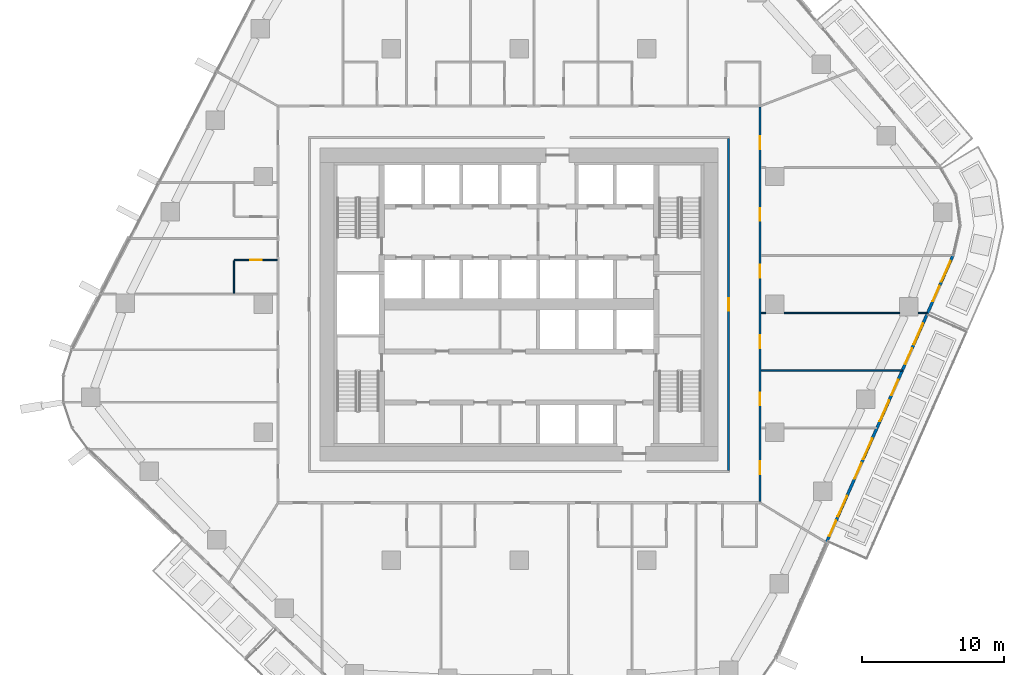
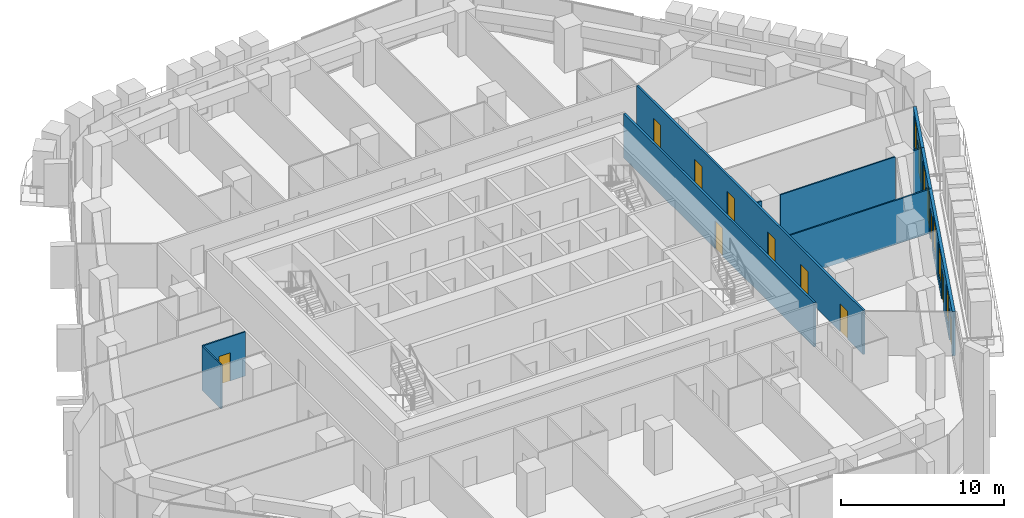
# One storey, part 14 of 24: 13 doors, 10 walls, 5 windows, 18 openings.
"""IFC4 building model written with IfcOpenShell, lengths in metres."""

from ifc_helpers import new_model, si_unit, direction, frame, frame_2d, origin, place, context, subcontext, project, spatial, rectangle, extrude, material, layer, layer_set, type_object, element, fill, save


model = new_model("IFC4")

# Units and contexts
model_context = context("Model", 3, precision=1e-05, world=origin(), true_north=direction((0.0, 1.0)))
body_context = subcontext(model_context, "Body", "Model", "MODEL_VIEW")
ifc_project = project(units=[si_unit("LENGTHUNIT", "METRE"), si_unit("AREAUNIT", "SQUARE_METRE"), si_unit("VOLUMEUNIT", "CUBIC_METRE"), si_unit("PLANEANGLEUNIT", "RADIAN"), si_unit("MASSUNIT", "GRAM", prefix="KILO")], contexts=[model_context])

# Site, building, storey
site_placement = place(None, origin())
site = spatial("IfcSite", under=ifc_project, at=site_placement, CompositionType="ELEMENT")
building_placement = place(site_placement, origin())
building = spatial("IfcBuilding", under=site, at=building_placement, Name="Dongbaek Canopy Tower", CompositionType="ELEMENT")
storey_placement = place(building_placement, frame((0.0, 0.0, 106.300048828125)))
storey = spatial("IfcBuildingStorey", under=building, at=storey_placement, Name="L22", CompositionType="ELEMENT", Elevation=106.300048828125)

# Wall, openings, doors
ifc_material_1 = material(Name="Gypsum board partition, steel stud, 2 x 15 mm fire board", Category="steel")
ifc_layer_1 = layer(ifc_material_1, 0.14990234375)
ifc_layer_set_1 = layer_set([ifc_layer_1], Name="Fire-rated partition 150 gypsum board")
wall_type_1 = type_object("IfcWallType", Name="Fire-rated partition 150 gypsum board", PredefinedType="PARTITIONING", material=ifc_layer_set_1)
wall_1_placement = place(storey_placement, frame((16.949951171875, 13.875, 0.0), z_axis=(0.0, 0.0, 1.0), x_axis=(0.0, -1.0, 0.0)))
wall_1 = element("IfcWall", 1, at=wall_1_placement, inside=storey, type_object=wall_type_1, Name="Corridor partition", PredefinedType="PARTITIONING", context=body_context, shape_type="SweptSolid", body=[
    extrude(rectangle(XDim=27.75, YDim=0.14990234375, at=frame_2d((13.875, 0.0))), origin(), (0.0, 0.0, 1.0), 3.300048828125),
])
opening_1_placement = place(wall_1_placement, frame((24.91748046875, 0.0, 0.0)))
opening_1 = element("IfcOpeningElement", 2, at=opening_1_placement, cuts=wall_1, Name="Opening L22-D015", PredefinedType="OPENING", context=body_context, shape_type="SweptSolid", body=[
    extrude(rectangle(XDim=0.89990234375, YDim=2.10009765625, at=frame_2d((0.449951171875, 1.050048828125))), frame((0.0, 0.0849609375, 0.0), z_axis=(0.0, -1.0, 0.0), x_axis=(1.0, 0.0, 0.0)), (0.0, 0.0, 1.0), 0.169921875),
])
opening_2_placement = place(wall_1_placement, frame((20.086181640625, 0.0, 0.0)))
opening_2 = element("IfcOpeningElement", 3, at=opening_2_placement, cuts=wall_1, Name="Opening L22-D016", PredefinedType="OPENING", context=body_context, shape_type="SweptSolid", body=[
    extrude(rectangle(XDim=0.89990234375, YDim=2.10009765625, at=frame_2d((0.449951171875, 1.050048828125))), frame((0.0, 0.0849609375, 0.0), z_axis=(0.0, -1.0, 0.0), x_axis=(1.0, 0.0, 0.0)), (0.0, 0.0, 1.0), 0.169921875),
])
opening_3_placement = place(wall_1_placement, frame((16.046630859375, 0.0, 0.0)))
opening_3 = element("IfcOpeningElement", 4, at=opening_3_placement, cuts=wall_1, Name="Opening L22-D017", PredefinedType="OPENING", context=body_context, shape_type="SweptSolid", body=[
    extrude(rectangle(XDim=0.89990234375, YDim=2.10009765625, at=frame_2d((0.449951171875, 1.050048828125))), frame((0.0, 0.0849609375, 0.0), z_axis=(0.0, -1.0, 0.0), x_axis=(1.0, 0.0, 0.0)), (0.0, 0.0, 1.0), 0.169921875),
])
opening_4_placement = place(wall_1_placement, frame((11.0908203125, 0.0, 0.0)))
opening_4 = element("IfcOpeningElement", 5, at=opening_4_placement, cuts=wall_1, Name="Opening L22-D018", PredefinedType="OPENING", context=body_context, shape_type="SweptSolid", body=[
    extrude(rectangle(XDim=0.89990234375, YDim=2.10009765625, at=frame_2d((0.449951171875, 1.050048828125))), frame((0.0, 0.0849609375, 0.0), z_axis=(0.0, -1.0, 0.0), x_axis=(1.0, 0.0, 0.0)), (0.0, 0.0, 1.0), 0.169921875),
])
opening_5_placement = place(wall_1_placement, frame((7.092529296875, 0.0, 0.0)))
opening_5 = element("IfcOpeningElement", 6, at=opening_5_placement, cuts=wall_1, Name="Opening L22-D019", PredefinedType="OPENING", context=body_context, shape_type="SweptSolid", body=[
    extrude(rectangle(XDim=0.89990234375, YDim=2.10009765625, at=frame_2d((0.449951171875, 1.050048828125))), frame((0.0, 0.0849609375, 0.0), z_axis=(0.0, -1.0, 0.0), x_axis=(1.0, 0.0, 0.0)), (0.0, 0.0, 1.0), 0.169921875),
])
opening_6_placement = place(wall_1_placement, frame((2.05712890625, 0.0, 0.0)))
opening_6 = element("IfcOpeningElement", 7, at=opening_6_placement, cuts=wall_1, Name="Opening L22-D020", PredefinedType="OPENING", context=body_context, shape_type="SweptSolid", body=[
    extrude(rectangle(XDim=0.89990234375, YDim=2.10009765625, at=frame_2d((0.449951171875, 1.050048828125))), frame((0.0, 0.0849609375, 0.0), z_axis=(0.0, -1.0, 0.0), x_axis=(1.0, 0.0, 0.0)), (0.0, 0.0, 1.0), 0.169921875),
])
ifc_material_2 = material(Name="Timber veneered door leaf", Category="wood")
door_type_1 = type_object("IfcDoorType", Name="Room door 900 x 2100", OperationType="SINGLE_SWING_LEFT", PredefinedType="DOOR", material=ifc_material_2)
door_1_placement = place(opening_1_placement, origin())
door_1 = element("IfcDoor", 8, at=door_1_placement, inside=storey, type_object=door_type_1, Name="Door L22-D015", OperationType="SINGLE_SWING_RIGHT", OverallHeight=2.10009765625, OverallWidth=0.89990234375, PredefinedType="DOOR", context=body_context, shape_type="SweptSolid", body=[
    extrude(rectangle(XDim=0.89990234375, YDim=2.10009765625, at=frame_2d((0.449951171875, 1.050048828125))), frame((0.0, 0.02490234375, 0.0), z_axis=(0.0, -1.0, 0.0), x_axis=(1.0, 0.0, 0.0)), (0.0, 0.0, 1.0), 0.050048828125),
])
fill(opening_1, door_1)
door_2_placement = place(opening_2_placement, origin())
door_2 = element("IfcDoor", 9, at=door_2_placement, inside=storey, type_object=door_type_1, Name="Door L22-D016", OperationType="SINGLE_SWING_LEFT", OverallHeight=2.10009765625, OverallWidth=0.89990234375, PredefinedType="DOOR", context=body_context, shape_type="SweptSolid", body=[
    extrude(rectangle(XDim=0.89990234375, YDim=2.10009765625, at=frame_2d((0.449951171875, 1.050048828125))), frame((0.0, 0.02490234375, 0.0), z_axis=(0.0, -1.0, 0.0), x_axis=(1.0, 0.0, 0.0)), (0.0, 0.0, 1.0), 0.050048828125),
])
fill(opening_2, door_2)
door_3_placement = place(opening_3_placement, origin())
door_3 = element("IfcDoor", 10, at=door_3_placement, inside=storey, type_object=door_type_1, Name="Door L22-D017", OperationType="SINGLE_SWING_RIGHT", OverallHeight=2.10009765625, OverallWidth=0.89990234375, PredefinedType="DOOR", context=body_context, shape_type="SweptSolid", body=[
    extrude(rectangle(XDim=0.89990234375, YDim=2.10009765625, at=frame_2d((0.449951171875, 1.050048828125))), frame((0.0, 0.02490234375, 0.0), z_axis=(0.0, -1.0, 0.0), x_axis=(1.0, 0.0, 0.0)), (0.0, 0.0, 1.0), 0.050048828125),
])
fill(opening_3, door_3)
door_4_placement = place(opening_4_placement, origin())
door_4 = element("IfcDoor", 11, at=door_4_placement, inside=storey, type_object=door_type_1, Name="Door L22-D018", OperationType="SINGLE_SWING_LEFT", OverallHeight=2.10009765625, OverallWidth=0.89990234375, PredefinedType="DOOR", context=body_context, shape_type="SweptSolid", body=[
    extrude(rectangle(XDim=0.89990234375, YDim=2.10009765625, at=frame_2d((0.449951171875, 1.050048828125))), frame((0.0, 0.02490234375, 0.0), z_axis=(0.0, -1.0, 0.0), x_axis=(1.0, 0.0, 0.0)), (0.0, 0.0, 1.0), 0.050048828125),
])
fill(opening_4, door_4)
door_5_placement = place(opening_5_placement, origin())
door_5 = element("IfcDoor", 12, at=door_5_placement, inside=storey, type_object=door_type_1, Name="Door L22-D019", OperationType="SINGLE_SWING_RIGHT", OverallHeight=2.10009765625, OverallWidth=0.89990234375, PredefinedType="DOOR", context=body_context, shape_type="SweptSolid", body=[
    extrude(rectangle(XDim=0.89990234375, YDim=2.10009765625, at=frame_2d((0.449951171875, 1.050048828125))), frame((0.0, 0.02490234375, 0.0), z_axis=(0.0, -1.0, 0.0), x_axis=(1.0, 0.0, 0.0)), (0.0, 0.0, 1.0), 0.050048828125),
])
fill(opening_5, door_5)
door_6_placement = place(opening_6_placement, origin())
door_6 = element("IfcDoor", 13, at=door_6_placement, inside=storey, type_object=door_type_1, Name="Door L22-D020", OperationType="SINGLE_SWING_LEFT", OverallHeight=2.10009765625, OverallWidth=0.89990234375, PredefinedType="DOOR", context=body_context, shape_type="SweptSolid", body=[
    extrude(rectangle(XDim=0.89990234375, YDim=2.10009765625, at=frame_2d((0.449951171875, 1.050048828125))), frame((0.0, 0.02490234375, 0.0), z_axis=(0.0, -1.0, 0.0), x_axis=(1.0, 0.0, 0.0)), (0.0, 0.0, 1.0), 0.050048828125),
])
fill(opening_6, door_6)

# Wall, opening, door
wall_2_placement = place(storey_placement, frame((14.75, -11.675048828125, 0.0), z_axis=(0.0, 0.0, 1.0), x_axis=(0.0, 1.0, 0.0)))
wall_2 = element("IfcWall", 14, at=wall_2_placement, inside=storey, type_object=wall_type_1, Name="Corridor partition", PredefinedType="PARTITIONING", context=body_context, shape_type="SweptSolid", body=[
    extrude(rectangle(XDim=23.35009765625, YDim=0.14990234375, at=frame_2d((11.675048828125, 0.0))), origin(), (0.0, 0.0, 1.0), 3.300048828125),
])
opening_7_placement = place(wall_2_placement, frame((11.22509765625, 0.0, 0.0)))
opening_7 = element("IfcOpeningElement", 15, at=opening_7_placement, cuts=wall_2, Name="Opening L22-D040", PredefinedType="OPENING", context=body_context, shape_type="SweptSolid", body=[
    extrude(rectangle(XDim=0.89990234375, YDim=2.10009765625, at=frame_2d((0.449951171875, 1.050048828125))), frame((0.0, 0.0849609375, 0.0), z_axis=(0.0, -1.0, 0.0), x_axis=(1.0, 0.0, 0.0)), (0.0, 0.0, 1.0), 0.169921875),
])
door_7_placement = place(opening_7_placement, origin())
door_7 = element("IfcDoor", 16, at=door_7_placement, inside=storey, type_object=door_type_1, Name="Door L22-D040", OperationType="SINGLE_SWING_LEFT", OverallHeight=2.10009765625, OverallWidth=0.89990234375, PredefinedType="DOOR", context=body_context, shape_type="SweptSolid", body=[
    extrude(rectangle(XDim=0.89990234375, YDim=2.10009765625, at=frame_2d((0.449951171875, 1.050048828125))), frame((0.0, 0.02490234375, 0.0), z_axis=(0.0, -1.0, 0.0), x_axis=(1.0, 0.0, 0.0)), (0.0, 0.0, 1.0), 0.050048828125),
])
fill(opening_7, door_7)

# Walls
ifc_material_3 = material(Name="Gypsum board partition, steel stud, 2 x 12.5 mm board", Category="steel")
ifc_layer_2 = layer(ifc_material_3, 0.10009765625)
ifc_layer_set_2 = layer_set([ifc_layer_2], Name="Partition 100 gypsum board")
wall_type_2 = type_object("IfcWallType", Name="Partition 100 gypsum board", PredefinedType="PARTITIONING", material=ifc_layer_set_2)
wall_3_placement = place(storey_placement, frame((17.02490234375, -4.64111328125, 0.0), z_axis=(0.0, 0.0, 1.0), x_axis=(1.0, 0.0, 0.0)))
element("IfcWall", 17, at=wall_3_placement, inside=storey, type_object=wall_type_2, Name="Partition", PredefinedType="PARTITIONING", context=body_context, shape_type="SweptSolid", body=[
    extrude(rectangle(XDim=9.92041015625, YDim=0.10009765625, at=frame_2d((4.960205078125, 0.0))), origin(), (0.0, 0.0, 1.0), 3.300048828125),
])
wall_4_placement = place(storey_placement, frame((17.02490234375, -0.60205078125, 0.0), z_axis=(0.0, 0.0, 1.0), x_axis=(1.0, 0.0, 0.0)))
element("IfcWall", 18, at=wall_4_placement, inside=storey, type_object=wall_type_2, Name="Partition", PredefinedType="PARTITIONING", context=body_context, shape_type="SweptSolid", body=[
    extrude(rectangle(XDim=0.3251953125, YDim=0.10009765625, at=frame_2d((0.16259765625, 0.0))), origin(), (0.0, 0.0, 1.0), 3.300048828125),
])
wall_5_placement = place(storey_placement, frame((18.64990234375, -0.60205078125, 0.0), z_axis=(0.0, 0.0, 1.0), x_axis=(1.0, 0.0, 0.0)))
element("IfcWall", 19, at=wall_5_placement, inside=storey, type_object=wall_type_2, Name="Partition", PredefinedType="PARTITIONING", context=body_context, shape_type="SweptSolid", body=[
    extrude(rectangle(XDim=8.135986328125, YDim=0.10009765625, at=frame_2d((4.06787109375, 0.0))), origin(), (0.0, 0.0, 1.0), 3.300048828125),
])
wall_6_placement = place(storey_placement, frame((28.0859375, -0.60205078125, 0.0), z_axis=(0.0, 0.0, 1.0), x_axis=(1.0, 0.0, 0.0)))
element("IfcWall", 20, at=wall_6_placement, inside=storey, type_object=wall_type_2, Name="Partition", PredefinedType="PARTITIONING", context=body_context, shape_type="SweptSolid", body=[
    extrude(rectangle(XDim=0.6396484375, YDim=0.10009765625, at=frame_2d((0.31982421875, 0.0))), origin(), (0.0, 0.0, 1.0), 3.300048828125),
])

# Wall, opening, door
wall_7_placement = place(storey_placement, frame((-17.02490234375, 3.1240234375, 0.0), z_axis=(0.0, 0.0, 1.0), x_axis=(-1.0, 0.0, 0.0)))
wall_7 = element("IfcWall", 21, at=wall_7_placement, inside=storey, type_object=wall_type_2, Name="Partition", PredefinedType="PARTITIONING", context=body_context, shape_type="SweptSolid", body=[
    extrude(rectangle(XDim=3.025146484375, YDim=0.10009765625, at=frame_2d((1.5126953125, 0.0))), origin(), (0.0, 0.0, 1.0), 3.300048828125),
])
opening_8_placement = place(wall_7_placement, frame((1.074951171875, 0.0, 0.0)))
opening_8 = element("IfcOpeningElement", 22, at=opening_8_placement, cuts=wall_7, Name="Opening L22-D037", PredefinedType="OPENING", context=body_context, shape_type="SweptSolid", body=[
    extrude(rectangle(XDim=0.800048828125, YDim=2.10009765625, at=frame_2d((0.39990234375, 1.050048828125))), frame((0.0, 0.06005859375, 0.0), z_axis=(0.0, -1.0, 0.0), x_axis=(1.0, 0.0, 0.0)), (0.0, 0.0, 1.0), 0.1201171875),
])
ifc_material_4 = material(Name="Timber veneered door leaf", Category="wood")
door_type_2 = type_object("IfcDoorType", Name="En-suite door 800 x 2100", OperationType="SINGLE_SWING_LEFT", PredefinedType="DOOR", material=ifc_material_4)
door_8_placement = place(opening_8_placement, origin())
door_8 = element("IfcDoor", 23, at=door_8_placement, inside=storey, type_object=door_type_2, Name="Door L22-D037", OperationType="SINGLE_SWING_RIGHT", OverallHeight=2.10009765625, OverallWidth=0.800048828125, PredefinedType="DOOR", context=body_context, shape_type="SweptSolid", body=[
    extrude(rectangle(XDim=0.800048828125, YDim=2.10009765625, at=frame_2d((0.39990234375, 1.050048828125))), frame((0.0, 0.02490234375, 0.0), z_axis=(0.0, -1.0, 0.0), x_axis=(1.0, 0.0, 0.0)), (0.0, 0.0, 1.0), 0.050048828125),
])
fill(opening_8, door_8)

# Wall
wall_8_placement = place(storey_placement, frame((-20.050048828125, 0.77392578125, 0.0), z_axis=(0.0, 0.0, 1.0), x_axis=(0.0, 1.0, 0.0)))
element("IfcWall", 24, at=wall_8_placement, inside=storey, type_object=wall_type_2, Name="Partition", PredefinedType="PARTITIONING", context=body_context, shape_type="SweptSolid", body=[
    extrude(rectangle(XDim=2.300048828125, YDim=0.10009765625, at=frame_2d((1.14990234375, 0.0))), origin(), (0.0, 0.0, 1.0), 3.300048828125),
])

# Wall, openings, doors, windows
ifc_material_5 = material(Name="Aluminium window wall", Category="aluminium")
ifc_layer_3 = layer(ifc_material_5, 0.199951171875)
ifc_layer_set_3 = layer_set([ifc_layer_3], Name="Window wall 200")
wall_type_3 = type_object("IfcWallType", Name="Window wall 200", PredefinedType="SOLIDWALL", material=ifc_layer_set_3)
wall_9_placement = place(storey_placement, frame((21.62646484375, -16.759765625, 0.0), z_axis=(0.0, 0.0, 1.0), x_axis=(0.403293642116, 0.915070619258, 0.0)))
wall_9 = element("IfcWall", 25, at=wall_9_placement, inside=storey, type_object=wall_type_3, Name="Window wall L22 5", PredefinedType="SOLIDWALL", context=body_context, shape_type="SweptSolid", body=[
    extrude(rectangle(XDim=17.6572265625, YDim=0.199951171875, at=frame_2d((8.82861328125, 0.0))), origin(), (0.0, 0.0, 1.0), 3.300048828125),
])
opening_9_placement = place(wall_9_placement, frame((2.0, 0.0, 0.60009765625)))
opening_9 = element("IfcOpeningElement", 26, at=opening_9_placement, cuts=wall_9, Name="Opening W1", PredefinedType="OPENING", context=body_context, shape_type="SweptSolid", body=[
    extrude(rectangle(XDim=1.60009765625, YDim=2.39990234375, at=frame_2d((0.800048828125, 1.199951171875))), frame((0.0, 0.10986328125, 0.0), z_axis=(0.0, -1.0, 0.0), x_axis=(1.0, 0.0, 0.0)), (0.0, 0.0, 1.0), 0.219970703125),
])
opening_10_placement = place(wall_9_placement, frame((0.5, 0.0, 0.0)))
opening_10 = element("IfcOpeningElement", 27, at=opening_10_placement, cuts=wall_9, Name="Opening L22-B13", PredefinedType="OPENING", context=body_context, shape_type="SweptSolid", body=[
    extrude(rectangle(XDim=1.199951171875, YDim=2.39990234375, at=frame_2d((0.60009765625, 1.199951171875))), frame((0.0, 0.10986328125, 0.0), z_axis=(0.0, -1.0, 0.0), x_axis=(1.0, 0.0, 0.0)), (0.0, 0.0, 1.0), 0.219970703125),
])
opening_11_placement = place(wall_9_placement, frame((6.414306640625, 0.0, 0.60009765625)))
opening_11 = element("IfcOpeningElement", 28, at=opening_11_placement, cuts=wall_9, Name="Opening W1", PredefinedType="OPENING", context=body_context, shape_type="SweptSolid", body=[
    extrude(rectangle(XDim=1.60009765625, YDim=2.39990234375, at=frame_2d((0.800048828125, 1.199951171875))), frame((0.0, 0.10986328125, 0.0), z_axis=(0.0, -1.0, 0.0), x_axis=(1.0, 0.0, 0.0)), (0.0, 0.0, 1.0), 0.219970703125),
])
opening_12_placement = place(wall_9_placement, frame((4.914306640625, 0.0, 0.0)))
opening_12 = element("IfcOpeningElement", 29, at=opening_12_placement, cuts=wall_9, Name="Opening L22-B14", PredefinedType="OPENING", context=body_context, shape_type="SweptSolid", body=[
    extrude(rectangle(XDim=1.199951171875, YDim=2.39990234375, at=frame_2d((0.60009765625, 1.199951171875))), frame((0.0, 0.10986328125, 0.0), z_axis=(0.0, -1.0, 0.0), x_axis=(1.0, 0.0, 0.0)), (0.0, 0.0, 1.0), 0.219970703125),
])
opening_13_placement = place(wall_9_placement, frame((9.32861328125, 0.0, 0.60009765625)))
opening_13 = element("IfcOpeningElement", 30, at=opening_13_placement, cuts=wall_9, Name="Opening W1", PredefinedType="OPENING", context=body_context, shape_type="SweptSolid", body=[
    extrude(rectangle(XDim=1.60009765625, YDim=2.39990234375, at=frame_2d((0.800048828125, 1.199951171875))), frame((0.0, 0.10986328125, 0.0), z_axis=(0.0, -1.0, 0.0), x_axis=(1.0, 0.0, 0.0)), (0.0, 0.0, 1.0), 0.219970703125),
])
opening_14_placement = place(wall_9_placement, frame((11.32861328125, 0.0, 0.0)))
opening_14 = element("IfcOpeningElement", 31, at=opening_14_placement, cuts=wall_9, Name="Opening L22-B15", PredefinedType="OPENING", context=body_context, shape_type="SweptSolid", body=[
    extrude(rectangle(XDim=1.199951171875, YDim=2.39990234375, at=frame_2d((0.60009765625, 1.199951171875))), frame((0.0, 0.10986328125, 0.0), z_axis=(0.0, -1.0, 0.0), x_axis=(1.0, 0.0, 0.0)), (0.0, 0.0, 1.0), 0.219970703125),
])
opening_15_placement = place(wall_9_placement, frame((15.242919921875, 0.0, 0.60009765625)))
opening_15 = element("IfcOpeningElement", 32, at=opening_15_placement, cuts=wall_9, Name="Opening W1", PredefinedType="OPENING", context=body_context, shape_type="SweptSolid", body=[
    extrude(rectangle(XDim=1.60009765625, YDim=2.39990234375, at=frame_2d((0.800048828125, 1.199951171875))), frame((0.0, 0.10986328125, 0.0), z_axis=(0.0, -1.0, 0.0), x_axis=(1.0, 0.0, 0.0)), (0.0, 0.0, 1.0), 0.219970703125),
])
opening_16_placement = place(wall_9_placement, frame((13.742919921875, 0.0, 0.0)))
opening_16 = element("IfcOpeningElement", 33, at=opening_16_placement, cuts=wall_9, Name="Opening L22-B16", PredefinedType="OPENING", context=body_context, shape_type="SweptSolid", body=[
    extrude(rectangle(XDim=1.199951171875, YDim=2.39990234375, at=frame_2d((0.60009765625, 1.199951171875))), frame((0.0, 0.10986328125, 0.0), z_axis=(0.0, -1.0, 0.0), x_axis=(1.0, 0.0, 0.0)), (0.0, 0.0, 1.0), 0.219970703125),
])
ifc_material_6 = material(Name="Clear glazing in aluminium frame", Category="aluminium")
door_type_3 = type_object("IfcDoorType", Name="Balcony door BD1 1200 x 2400", OperationType="SLIDING_TO_LEFT", PredefinedType="DOOR", material=ifc_material_6)
door_9_placement = place(opening_10_placement, origin())
door_9 = element("IfcDoor", 34, at=door_9_placement, inside=storey, type_object=door_type_3, Name="Balcony door L22-B13", OperationType="SLIDING_TO_LEFT", OverallHeight=2.39990234375, OverallWidth=1.199951171875, PredefinedType="DOOR", context=body_context, shape_type="SweptSolid", body=[
    extrude(rectangle(XDim=1.199951171875, YDim=2.39990234375, at=frame_2d((0.60009765625, 1.199951171875))), frame((0.0, 0.02490234375, 0.0), z_axis=(0.0, -1.0, 0.0), x_axis=(1.0, 0.0, 0.0)), (0.0, 0.0, 1.0), 0.050048828125),
])
fill(opening_10, door_9)
door_10_placement = place(opening_12_placement, origin())
door_10 = element("IfcDoor", 35, at=door_10_placement, inside=storey, type_object=door_type_3, Name="Balcony door L22-B14", OperationType="SLIDING_TO_LEFT", OverallHeight=2.39990234375, OverallWidth=1.199951171875, PredefinedType="DOOR", context=body_context, shape_type="SweptSolid", body=[
    extrude(rectangle(XDim=1.199951171875, YDim=2.39990234375, at=frame_2d((0.60009765625, 1.199951171875))), frame((0.0, 0.02490234375, 0.0), z_axis=(0.0, -1.0, 0.0), x_axis=(1.0, 0.0, 0.0)), (0.0, 0.0, 1.0), 0.050048828125),
])
fill(opening_12, door_10)
door_11_placement = place(opening_14_placement, origin())
door_11 = element("IfcDoor", 36, at=door_11_placement, inside=storey, type_object=door_type_3, Name="Balcony door L22-B15", OperationType="SLIDING_TO_LEFT", OverallHeight=2.39990234375, OverallWidth=1.199951171875, PredefinedType="DOOR", context=body_context, shape_type="SweptSolid", body=[
    extrude(rectangle(XDim=1.199951171875, YDim=2.39990234375, at=frame_2d((0.60009765625, 1.199951171875))), frame((0.0, 0.02490234375, 0.0), z_axis=(0.0, -1.0, 0.0), x_axis=(1.0, 0.0, 0.0)), (0.0, 0.0, 1.0), 0.050048828125),
])
fill(opening_14, door_11)
door_12_placement = place(opening_16_placement, origin())
door_12 = element("IfcDoor", 37, at=door_12_placement, inside=storey, type_object=door_type_3, Name="Balcony door L22-B16", OperationType="SLIDING_TO_LEFT", OverallHeight=2.39990234375, OverallWidth=1.199951171875, PredefinedType="DOOR", context=body_context, shape_type="SweptSolid", body=[
    extrude(rectangle(XDim=1.199951171875, YDim=2.39990234375, at=frame_2d((0.60009765625, 1.199951171875))), frame((0.0, 0.02490234375, 0.0), z_axis=(0.0, -1.0, 0.0), x_axis=(1.0, 0.0, 0.0)), (0.0, 0.0, 1.0), 0.050048828125),
])
fill(opening_16, door_12)
ifc_material_7 = material(Name="Clear glazing in aluminium frame", Category="aluminium")
window_type = type_object("IfcWindowType", Name="Window W1 1600 x 2400", PartitioningType="SINGLE_PANEL", PredefinedType="WINDOW", material=ifc_material_7)
window_1_placement = place(opening_9_placement, origin())
window_1 = element("IfcWindow", 38, at=window_1_placement, inside=storey, type_object=window_type, Name="Window L22 5.1", OverallHeight=2.39990234375, OverallWidth=1.60009765625, PartitioningType="SINGLE_PANEL", PredefinedType="WINDOW", context=body_context, shape_type="SweptSolid", body=[
    extrude(rectangle(XDim=1.60009765625, YDim=2.39990234375, at=frame_2d((0.800048828125, 1.199951171875))), frame((0.0, 0.030029296875, 0.0), z_axis=(0.0, -1.0, 0.0), x_axis=(1.0, 0.0, 0.0)), (0.0, 0.0, 1.0), 0.06005859375),
])
fill(opening_9, window_1)
window_2_placement = place(opening_11_placement, origin())
window_2 = element("IfcWindow", 39, at=window_2_placement, inside=storey, type_object=window_type, Name="Window L22 5.2", OverallHeight=2.39990234375, OverallWidth=1.60009765625, PartitioningType="SINGLE_PANEL", PredefinedType="WINDOW", context=body_context, shape_type="SweptSolid", body=[
    extrude(rectangle(XDim=1.60009765625, YDim=2.39990234375, at=frame_2d((0.800048828125, 1.199951171875))), frame((0.0, 0.030029296875, 0.0), z_axis=(0.0, -1.0, 0.0), x_axis=(1.0, 0.0, 0.0)), (0.0, 0.0, 1.0), 0.06005859375),
])
fill(opening_11, window_2)
window_3_placement = place(opening_13_placement, origin())
window_3 = element("IfcWindow", 40, at=window_3_placement, inside=storey, type_object=window_type, Name="Window L22 5.3", OverallHeight=2.39990234375, OverallWidth=1.60009765625, PartitioningType="SINGLE_PANEL", PredefinedType="WINDOW", context=body_context, shape_type="SweptSolid", body=[
    extrude(rectangle(XDim=1.60009765625, YDim=2.39990234375, at=frame_2d((0.800048828125, 1.199951171875))), frame((0.0, 0.030029296875, 0.0), z_axis=(0.0, -1.0, 0.0), x_axis=(1.0, 0.0, 0.0)), (0.0, 0.0, 1.0), 0.06005859375),
])
fill(opening_13, window_3)
window_4_placement = place(opening_15_placement, origin())
window_4 = element("IfcWindow", 41, at=window_4_placement, inside=storey, type_object=window_type, Name="Window L22 5.4", OverallHeight=2.39990234375, OverallWidth=1.60009765625, PartitioningType="SINGLE_PANEL", PredefinedType="WINDOW", context=body_context, shape_type="SweptSolid", body=[
    extrude(rectangle(XDim=1.60009765625, YDim=2.39990234375, at=frame_2d((0.800048828125, 1.199951171875))), frame((0.0, 0.030029296875, 0.0), z_axis=(0.0, -1.0, 0.0), x_axis=(1.0, 0.0, 0.0)), (0.0, 0.0, 1.0), 0.06005859375),
])
fill(opening_15, window_4)

# Wall, openings, door, window
wall_10_placement = place(storey_placement, frame((28.74755859375, -0.60205078125, 0.0), z_axis=(0.0, 0.0, 1.0), x_axis=(0.403256746057, 0.91508687935, 0.0)))
wall_10 = element("IfcWall", 42, at=wall_10_placement, inside=storey, type_object=wall_type_3, Name="Window wall L22 6", PredefinedType="SOLIDWALL", context=body_context, shape_type="SweptSolid", body=[
    extrude(rectangle(XDim=4.405029296875, YDim=0.199951171875, at=frame_2d((2.20263671875, 0.0))), origin(), (0.0, 0.0, 1.0), 3.300048828125),
])
opening_17_placement = place(wall_10_placement, frame((2.39990234375, 0.0, 0.60009765625)))
opening_17 = element("IfcOpeningElement", 43, at=opening_17_placement, cuts=wall_10, Name="Opening W1", PredefinedType="OPENING", context=body_context, shape_type="SweptSolid", body=[
    extrude(rectangle(XDim=1.60009765625, YDim=2.39990234375, at=frame_2d((0.800048828125, 1.199951171875))), frame((0.0, 0.10986328125, 0.0), z_axis=(0.0, -1.0, 0.0), x_axis=(1.0, 0.0, 0.0)), (0.0, 0.0, 1.0), 0.219970703125),
])
opening_18_placement = place(wall_10_placement, frame((0.89990234375, 0.0, 0.0)))
opening_18 = element("IfcOpeningElement", 44, at=opening_18_placement, cuts=wall_10, Name="Opening L22-B17", PredefinedType="OPENING", context=body_context, shape_type="SweptSolid", body=[
    extrude(rectangle(XDim=1.199951171875, YDim=2.39990234375, at=frame_2d((0.60009765625, 1.199951171875))), frame((0.0, 0.10986328125, 0.0), z_axis=(0.0, -1.0, 0.0), x_axis=(1.0, 0.0, 0.0)), (0.0, 0.0, 1.0), 0.219970703125),
])
door_13_placement = place(opening_18_placement, origin())
door_13 = element("IfcDoor", 45, at=door_13_placement, inside=storey, type_object=door_type_3, Name="Balcony door L22-B17", OperationType="SLIDING_TO_LEFT", OverallHeight=2.39990234375, OverallWidth=1.199951171875, PredefinedType="DOOR", context=body_context, shape_type="SweptSolid", body=[
    extrude(rectangle(XDim=1.199951171875, YDim=2.39990234375, at=frame_2d((0.60009765625, 1.199951171875))), frame((0.0, 0.02490234375, 0.0), z_axis=(0.0, -1.0, 0.0), x_axis=(1.0, 0.0, 0.0)), (0.0, 0.0, 1.0), 0.050048828125),
])
fill(opening_18, door_13)
window_5_placement = place(opening_17_placement, origin())
window_5 = element("IfcWindow", 46, at=window_5_placement, inside=storey, type_object=window_type, Name="Window L22 6.1", OverallHeight=2.39990234375, OverallWidth=1.60009765625, PartitioningType="SINGLE_PANEL", PredefinedType="WINDOW", context=body_context, shape_type="SweptSolid", body=[
    extrude(rectangle(XDim=1.60009765625, YDim=2.39990234375, at=frame_2d((0.800048828125, 1.199951171875))), frame((0.0, 0.030029296875, 0.0), z_axis=(0.0, -1.0, 0.0), x_axis=(1.0, 0.0, 0.0)), (0.0, 0.0, 1.0), 0.06005859375),
])
fill(opening_17, window_5)

save(model, "model.ifc")
